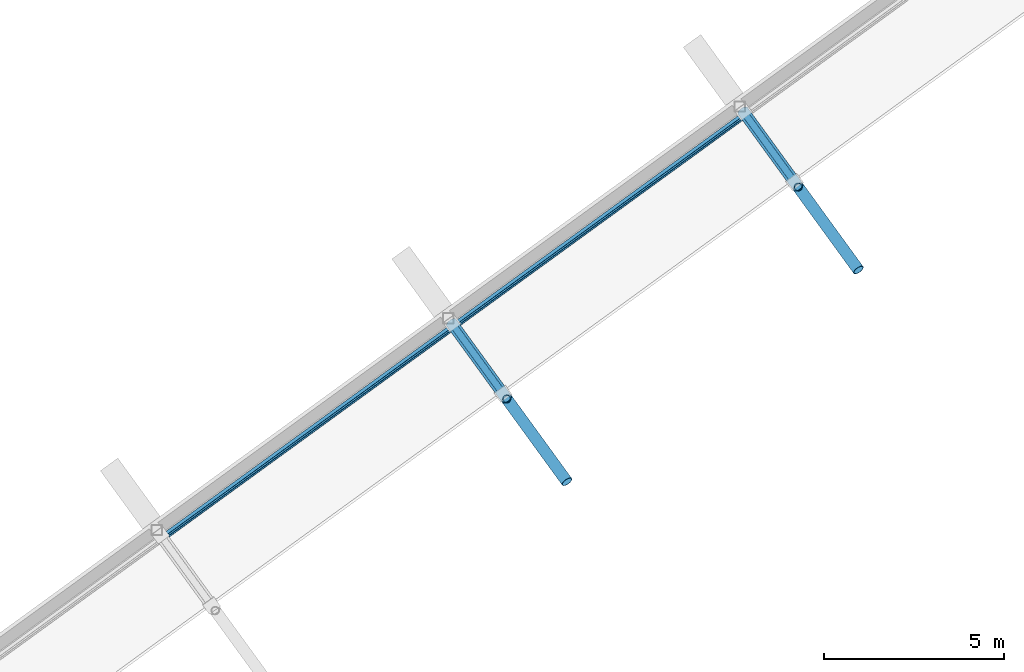
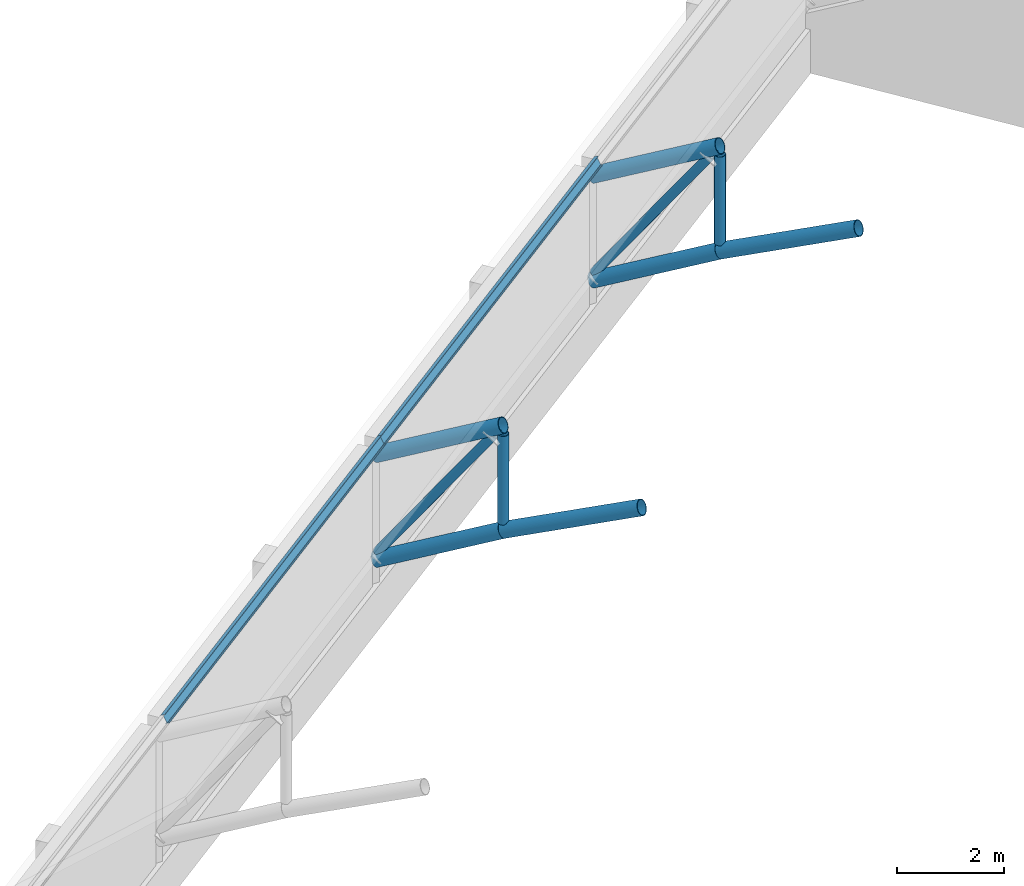
# One storey, part 98 of 196: 10 members, 2 beams.
"""IFC4 building model written with IfcOpenShell, lengths in metres."""

from ifc_helpers import new_model, si_unit, direction, frame, origin, origin_2d, place, context, subcontext, project, spatial, hollow_circle, i_section, extrude, material, material_profile, profile_set, type_object, element, save


model = new_model("IFC4")

# Units and contexts
model_context = context("Model", 3, precision=1e-05, world=origin(), true_north=direction((0.0, 1.0)))
body_context = subcontext(model_context, "Body", "Model", "MODEL_VIEW")
ifc_project = project(units=[si_unit("LENGTHUNIT", "METRE"), si_unit("AREAUNIT", "SQUARE_METRE"), si_unit("VOLUMEUNIT", "CUBIC_METRE"), si_unit("PLANEANGLEUNIT", "RADIAN"), si_unit("MASSUNIT", "GRAM", prefix="KILO")], contexts=[model_context])

# Site, building, storey
site_placement = place(None, origin())
site = spatial("IfcSite", under=ifc_project, at=site_placement, CompositionType="ELEMENT")
building_placement = place(site_placement, origin())
building = spatial("IfcBuilding", under=site, at=building_placement, Name="Okhra Congress Centre", CompositionType="ELEMENT")
storey_placement = place(building_placement, frame((0.0, 0.0, 12.0)))
storey = spatial("IfcBuildingStorey", under=building, at=storey_placement, Name="L02", CompositionType="ELEMENT", Elevation=12.0)

# Members
ifc_material_1 = material(Name="Steel S355J2H", Category="steel")
ifc_material_profile_1 = material_profile(ifc_material_1, hollow_circle(Radius=0.096923828125, WallThickness=0.010009765625, at=origin_2d()), Name="CHS 193.7x10")
ifc_profile_set_1 = profile_set([ifc_material_profile_1], Name="Steel S355J2H")
member_type_1 = type_object("IfcMemberType", Name="CHS 193.7x10", PredefinedType="BRACE", material=ifc_profile_set_1)
for number, where, z_axis, x_axis, name in (
    (1, (230.53759765625, 223.16015625, 1.705810546875), (0.340493544996, -0.468635010563, 0.815135186758), (0.809008555592, 0.587796867106, 0.0), "Truss 5 diagonal 18"),
    (2, (238.627685546875, 229.0380859375, 1.705810546875), (0.340493544996, -0.468635010563, 0.815135186758), (0.809008555592, 0.587796867106, 0.0), "Truss 6 diagonal 18"),
):
    element("IfcMember", number, at=place(storey_placement, frame(where, z_axis=z_axis, x_axis=x_axis)), inside=storey, type_object=member_type_1, Name=name, PredefinedType="BRACE", context=body_context, shape_type="SweptSolid", body=[
        extrude(hollow_circle(Radius=0.096923828125, WallThickness=0.010009765625, at=origin_2d()), origin(), (0.0, 0.0, 1.0), 4.145751953125),
    ])
ifc_material_profile_2 = material_profile(ifc_material_1, hollow_circle(Radius=0.109619140625, WallThickness=0.008056640625, at=origin_2d()), Name="CHS 219.1x8")
ifc_profile_set_2 = profile_set([ifc_material_profile_2], Name="Steel S355J2H")
member_type_2 = type_object("IfcMemberType", Name="CHS 219.1x8", PredefinedType="POST", material=ifc_profile_set_2)
for number, where, z_axis, x_axis, name in (
    (3, (232.055908203125, 221.0703125, 3.1240234375), (0.0, 0.0, 1.0), (1.0, 0.0, 0.0), "Truss 5 post 17"),
    (4, (240.14599609375, 226.9482421875, 3.1240234375), (0.0, 0.0, 1.0), (1.0, 0.0, 0.0), "Truss 6 post 17"),
):
    element("IfcMember", number, at=place(storey_placement, frame(where, z_axis=z_axis, x_axis=x_axis)), inside=storey, type_object=member_type_2, Name=name, PredefinedType="POST", context=body_context, shape_type="SweptSolid", body=[
        extrude(hollow_circle(Radius=0.109619140625, WallThickness=0.008056640625, at=origin_2d()), origin(), (0.0, 0.0, 1.0), 2.033447265625),
    ])
ifc_material_profile_3 = material_profile(ifc_material_1, hollow_circle(Radius=0.161865234375, WallThickness=0.012451171875, at=origin_2d()), Name="CHS 323.9x12.5")
ifc_profile_set_3 = profile_set([ifc_material_profile_3], Name="Steel S355J2H")
member_type_3 = type_object("IfcMemberType", Name="CHS 323.9x12.5", PredefinedType="CHORD", material=ifc_profile_set_3)
member_1_placement = place(storey_placement, frame((233.729248046875, 218.767333984375, 4.268310546875), z_axis=(-0.532727224068, 0.733180026938, -0.422668608766), x_axis=(-0.808995610274, -0.587814683856, 0.0)))
element("IfcMember", 5, at=member_1_placement, inside=storey, type_object=member_type_3, Name="Truss 5 bottom chord 17", PredefinedType="CHORD", context=body_context, shape_type="SweptSolid", body=[
    extrude(hollow_circle(Radius=0.161865234375, WallThickness=0.012451171875, at=origin_2d()), origin(), (0.0, 0.0, 1.0), 3.14111328125),
])
for number, where, z_axis, x_axis, name in (
    (6, (232.055908203125, 221.0703125, 2.940673828125), (-0.517341175143, 0.71211458024, -0.474606082041), (-0.809038794154, -0.587755246301, 0.0), "Truss 5 bottom chord 18"),
    (7, (232.055908203125, 221.0703125, 5.3408203125), (-0.517341175143, 0.71211458024, -0.474606082041), (-0.809038794154, -0.587755246301, 0.0), "Truss 5 top chord 18"),
):
    element("IfcMember", number, at=place(storey_placement, frame(where, z_axis=z_axis, x_axis=x_axis)), inside=storey, type_object=member_type_3, Name=name, PredefinedType="CHORD", context=body_context, shape_type="SweptSolid", body=[
        extrude(hollow_circle(Radius=0.161865234375, WallThickness=0.012451171875, at=origin_2d()), origin(), (0.0, 0.0, 1.0), 2.970703125),
    ])
member_2_placement = place(storey_placement, frame((241.8193359375, 224.64501953125, 4.268310546875), z_axis=(-0.532696866834, 0.733215967568, -0.422644523175), x_axis=(-0.809025240298, -0.587773902586, 0.0)))
element("IfcMember", 8, at=member_2_placement, inside=storey, type_object=member_type_3, Name="Truss 6 bottom chord 17", PredefinedType="CHORD", context=body_context, shape_type="SweptSolid", body=[
    extrude(hollow_circle(Radius=0.161865234375, WallThickness=0.012451171875, at=origin_2d()), origin(), (0.0, 0.0, 1.0), 3.141357421875),
])
for number, where, z_axis, x_axis, name in (
    (9, (240.14599609375, 226.9482421875, 2.940673828125), (-0.517341175143, 0.71211458024, -0.474606082041), (-0.809038794154, -0.587755246301, 0.0), "Truss 6 bottom chord 18"),
    (10, (240.14599609375, 226.9482421875, 5.3408203125), (-0.517341175143, 0.71211458024, -0.474606082041), (-0.809038794154, -0.587755246301, 0.0), "Truss 6 top chord 18"),
):
    element("IfcMember", number, at=place(storey_placement, frame(where, z_axis=z_axis, x_axis=x_axis)), inside=storey, type_object=member_type_3, Name=name, PredefinedType="CHORD", context=body_context, shape_type="SweptSolid", body=[
        extrude(hollow_circle(Radius=0.161865234375, WallThickness=0.012451171875, at=origin_2d()), origin(), (0.0, 0.0, 1.0), 2.970703125),
    ])

# Beams
ifc_material_2 = material(Name="Steel S355J2", Category="steel")
ifc_material_profile_4 = material_profile(ifc_material_2, i_section(OverallWidth=0.10009765625, OverallDepth=0.199951171875, WebThickness=0.005615234375, FlangeThickness=0.008544921875, FilletRadius=0.011962890625, at=origin_2d()), Name="IPE 200")
ifc_profile_set_4 = profile_set([ifc_material_profile_4], Name="Steel S355J2")
beam_type = type_object("IfcBeamType", Name="IPE 200", PredefinedType="BEAM", material=ifc_profile_set_4)
for number, where, z_axis, x_axis, name in (
    (11, (222.501220703125, 217.208251953125, 4.29150390625), (0.809010490052, 0.58779420462, 0.0), (-0.517377276636, 0.712092158826, -0.474600369743), "Purlin 19.112"),
    (12, (230.59130859375, 223.086181640625, 4.29150390625), (0.809010490052, 0.58779420462, 0.0), (-0.517377276636, 0.712092158826, -0.474600369743), "Purlin 19.113"),
):
    element("IfcBeam", number, at=place(storey_placement, frame(where, z_axis=z_axis, x_axis=x_axis)), inside=storey, type_object=beam_type, Name=name, PredefinedType="BEAM", context=body_context, shape_type="SweptSolid", body=[
        extrude(i_section(OverallWidth=0.10009765625, OverallDepth=0.199951171875, WebThickness=0.005615234375, FlangeThickness=0.008544921875, FilletRadius=0.011962890625, at=origin_2d()), origin(), (0.0, 0.0, 1.0), 10.0),
    ])

save(model, "model.ifc")
